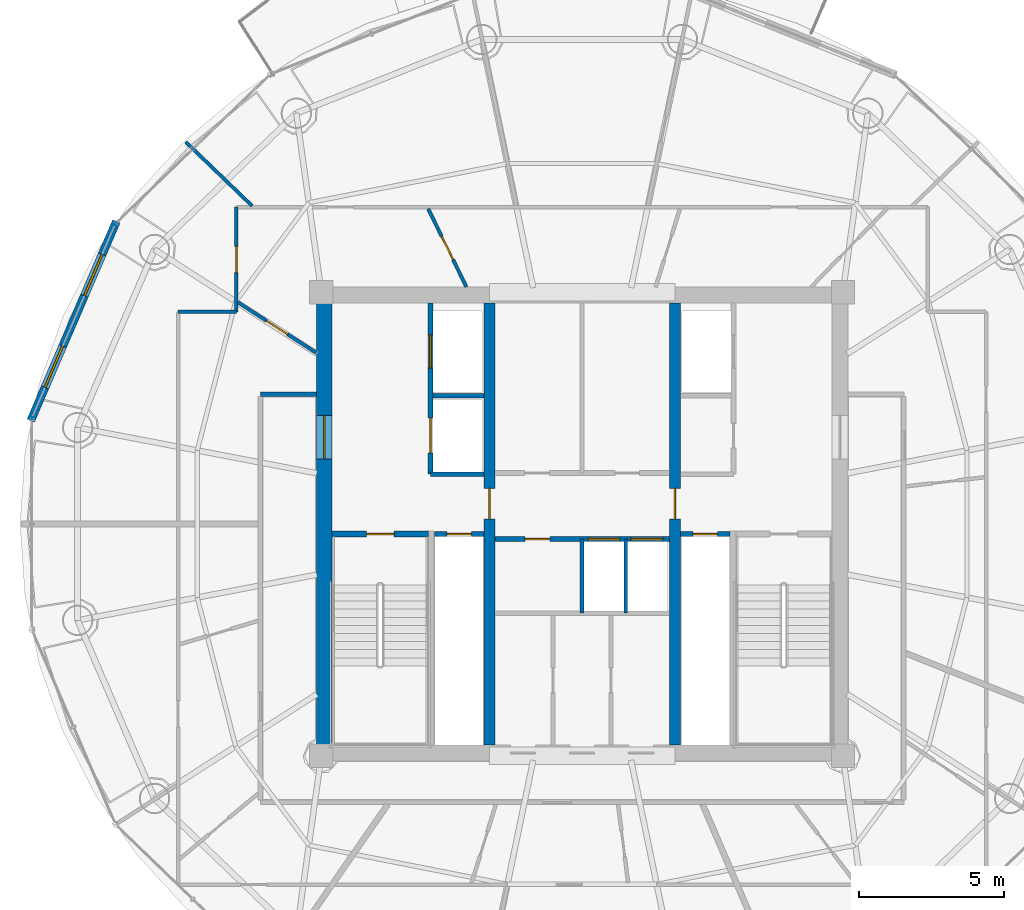
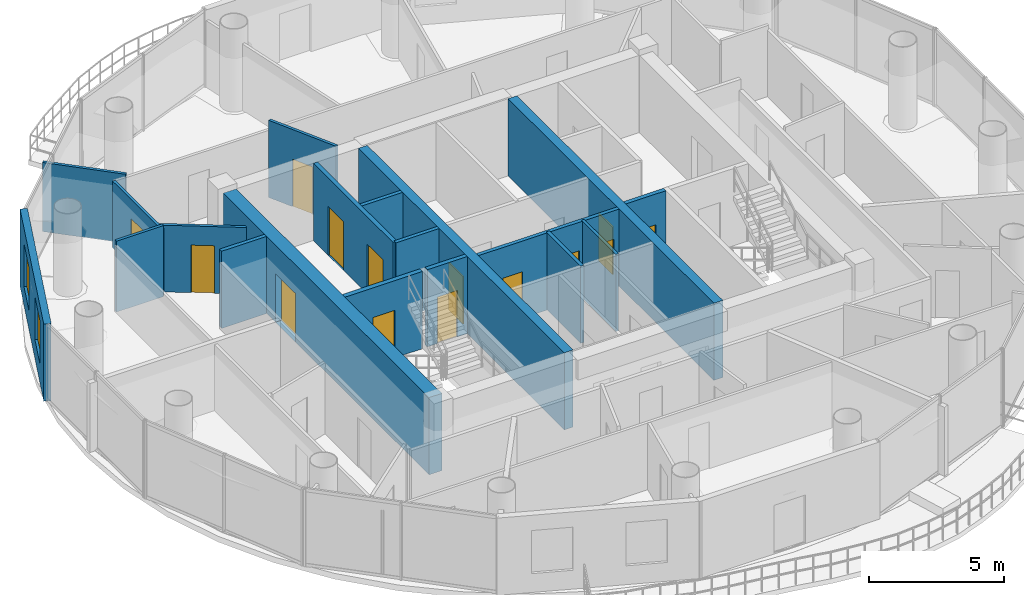
# One storey, part 19 of 24: 19 walls, 14 doors, 2 windows, 16 openings.
"""IFC4 building model written with IfcOpenShell, lengths in metres."""

from ifc_helpers import new_model, si_unit, direction, frame, frame_2d, origin, place, context, subcontext, project, spatial, rectangle, extrude, source, transform, mapped, material, layer, layer_set, type_object, element, fill, save


model = new_model("IFC4")

# Units and contexts
model_context = context("Model", 3, precision=1e-05, world=origin(), true_north=direction((-0.2419218956, 0.970295726276)))
body_context = subcontext(model_context, "Body", "Model", "MODEL_VIEW")
ifc_project = project(units=[si_unit("LENGTHUNIT", "METRE"), si_unit("AREAUNIT", "SQUARE_METRE"), si_unit("VOLUMEUNIT", "CUBIC_METRE"), si_unit("PLANEANGLEUNIT", "RADIAN"), si_unit("MASSUNIT", "GRAM", prefix="KILO")], contexts=[model_context])

# Site, building, storey
site_placement = place(None, origin())
site = spatial("IfcSite", under=ifc_project, at=site_placement, CompositionType="ELEMENT")
building_placement = place(site_placement, origin())
building = spatial("IfcBuilding", under=site, at=building_placement, Name="Cobrevalo Terracotta Tower", CompositionType="ELEMENT")
storey_placement = place(building_placement, frame((0.0, 0.0, 278.199951171875)))
storey = spatial("IfcBuildingStorey", under=building, at=storey_placement, Name="L73", CompositionType="ELEMENT", Elevation=278.199951171875)

# Wall, opening, door
ifc_material_1 = material(Name="Concrete C50", Category="concrete")
ifc_layer_1 = layer(ifc_material_1, 0.550048828125)
ifc_layer_set_1 = layer_set([ifc_layer_1], Name="Concrete C50")
wall_type_1 = type_object("IfcWallType", Name="Core shear wall 550 mm Concrete C50", PredefinedType="SHEAR", material=ifc_layer_set_1)
wall_1_placement = place(storey_placement, frame((29.10009765625, 19.175048828125, 0.0), z_axis=(0.0, 0.0, 1.0), x_axis=(0.0, 1.0, 0.0)))
wall_1 = element("IfcWall", 1, at=wall_1_placement, inside=storey, type_object=wall_type_1, Name="L73 west core shear wall", PredefinedType="SHEAR", context=body_context, shape_type="SweptSolid", body=[
    extrude(rectangle(XDim=15.25, YDim=0.550048828125, at=frame_2d((7.625, 0.0))), origin(), (0.0, 0.0, 1.0), 3.489990234375),
])
opening_1_placement = place(wall_1_placement, frame((9.875, 0.0, 0.0)))
opening_1 = element("IfcOpeningElement", 2, at=opening_1_placement, cuts=wall_1, Name="Opening ID-14", PredefinedType="OPENING", context=body_context, shape_type="SweptSolid", body=[
    extrude(rectangle(XDim=1.5, YDim=2.199951171875, at=frame_2d((0.75, 1.10009765625))), frame((0.0, 0.28515625, 0.0), z_axis=(0.0, -1.0, 0.0), x_axis=(1.0, 0.0, 0.0)), (0.0, 0.0, 1.0), 0.570068359375),
])
ifc_material_2 = material(Name="Galvanized fire-rated steel", Category="steel")
door_type_1 = type_object("IfcDoorType", Name="Core cross-lobby double fire door 1500x2200 EI 90", OperationType="NOTDEFINED", PredefinedType="DOOR", material=ifc_material_2)
shared_shape_1 = source(origin(), body_context, "Body", "SweptSolid", [
    extrude(rectangle(XDim=1.5, YDim=2.199951171875, at=frame_2d((0.75, 1.10009765625))), frame((0.0, 0.02490234375, 0.0), z_axis=(0.0, -1.0, 0.0), x_axis=(1.0, 0.0, 0.0)), (0.0, 0.0, 1.0), 0.050048828125),
])
door_1_placement = place(opening_1_placement, origin())
door_1 = element("IfcDoor", 3, at=door_1_placement, inside=storey, type_object=door_type_1, Name="L73 west firefighting lobby entrance door", OperationType="DOUBLE_DOOR_SINGLE_SWING", OverallHeight=2.199951171875, OverallWidth=1.5, PredefinedType="DOOR", context=body_context, shape_type="MappedRepresentation", body=[
    mapped(shared_shape_1, transform((0.0, 0.0, 0.0), scale=1.0)),
])
fill(opening_1, door_1)

# Walls
ifc_material_3 = material(Name="Gypsum board on steel stud", Category="steel")
ifc_layer_2 = layer(ifc_material_3, 0.159912109375)
ifc_layer_set_2 = layer_set([ifc_layer_2], Name="Gypsum board on steel stud")
wall_type_2 = type_object("IfcWallType", Name="Fire-rated corridor acoustic partition wall 160 mm", PredefinedType="PARTITIONING", material=ifc_layer_set_2)
wall_2_placement = place(storey_placement, frame((32.860107421875, 31.219970703125, 0.0), z_axis=(0.0, 0.0, 1.0), x_axis=(1.0, 0.0, 0.0)))
element("IfcWall", 4, at=wall_2_placement, inside=storey, type_object=wall_type_2, Name="L73 interior partition IW-L73-FF1-M", PredefinedType="PARTITIONING", context=body_context, shape_type="SweptSolid", body=[
    extrude(rectangle(XDim=1.75, YDim=0.159912109375, at=frame_2d((0.875, 0.0))), origin(), (0.0, 0.0, 1.0), 3.489990234375),
])
wall_3_placement = place(storey_placement, frame((32.77001953125, 28.52001953125, 0.0), z_axis=(0.0, 0.0, 1.0), x_axis=(1.0, 0.0, 0.0)))
element("IfcWall", 5, at=wall_3_placement, inside=storey, type_object=wall_type_2, Name="L73 interior partition IW-L73-FF1-S", PredefinedType="PARTITIONING", context=body_context, shape_type="SweptSolid", body=[
    extrude(rectangle(XDim=1.840087890625, YDim=0.159912109375, at=frame_2d((0.919921875, 0.0))), origin(), (0.0, 0.0, 1.0), 3.489990234375),
])

# Wall, openings, doors
wall_4_placement = place(storey_placement, frame((34.989990234375, 26.280029296875, 0.0), z_axis=(0.0, 0.0, 1.0), x_axis=(1.0, 0.0, 0.0)))
wall_4 = element("IfcWall", 6, at=wall_4_placement, inside=storey, type_object=wall_type_2, Name="L73 interior partition IW-L73-MB-N", PredefinedType="PARTITIONING", context=body_context, shape_type="SweptSolid", body=[
    extrude(rectangle(XDim=6.02001953125, YDim=0.159912109375, at=frame_2d((3.010009765625, 0.0))), origin(), (0.0, 0.0, 1.0), 3.489990234375),
])
opening_2_placement = place(wall_4_placement, frame((1.044921875, 0.0, 0.0)))
opening_2 = element("IfcOpeningElement", 7, at=opening_2_placement, cuts=wall_4, Name="Opening ID-22", PredefinedType="OPENING", context=body_context, shape_type="SweptSolid", body=[
    extrude(rectangle(XDim=0.85009765625, YDim=2.10009765625, at=frame_2d((0.425048828125, 1.050048828125))), frame((0.0, 0.08984375, 0.0), z_axis=(0.0, -1.0, 0.0), x_axis=(1.0, 0.0, 0.0)), (0.0, 0.0, 1.0), 0.179931640625),
])
opening_3_placement = place(wall_4_placement, frame((3.215087890625, 0.0, 0.0)))
opening_3 = element("IfcOpeningElement", 8, at=opening_3_placement, cuts=wall_4, Name="Opening LD-01", PredefinedType="OPENING", context=body_context, shape_type="SweptSolid", body=[
    extrude(rectangle(XDim=1.10009765625, YDim=2.199951171875, at=frame_2d((0.550048828125, 1.10009765625))), frame((0.0, 0.08984375, 0.0), z_axis=(0.0, -1.0, 0.0), x_axis=(1.0, 0.0, 0.0)), (0.0, 0.0, 1.0), 0.179931640625),
])
opening_4_placement = place(wall_4_placement, frame((4.695068359375, 0.0, 0.0)))
opening_4 = element("IfcOpeningElement", 9, at=opening_4_placement, cuts=wall_4, Name="Opening LD-01", PredefinedType="OPENING", context=body_context, shape_type="SweptSolid", body=[
    extrude(rectangle(XDim=1.10009765625, YDim=2.199951171875, at=frame_2d((0.550048828125, 1.10009765625))), frame((0.0, 0.08984375, 0.0), z_axis=(0.0, -1.0, 0.0), x_axis=(1.0, 0.0, 0.0)), (0.0, 0.0, 1.0), 0.179931640625),
])
ifc_material_4 = material(Name="Powder-coated steel", Category="steel")
door_type_2 = type_object("IfcDoorType", Name="Riser shaft & meter closet fire access door 850x2100 EI 60", OperationType="NOTDEFINED", PredefinedType="DOOR", material=ifc_material_4)
shared_shape_2 = source(origin(), body_context, "Body", "SweptSolid", [
    extrude(rectangle(XDim=0.85009765625, YDim=2.10009765625, at=frame_2d((0.425048828125, 1.050048828125))), frame((0.0, 0.02490234375, 0.0), z_axis=(0.0, -1.0, 0.0), x_axis=(1.0, 0.0, 0.0)), (0.0, 0.0, 1.0), 0.050048828125),
])
door_2_placement = place(opening_2_placement, frame((0.85009765625, 0.0, 0.0), z_axis=(0.0, 0.0, 1.0), x_axis=(-1.0, 0.0, 0.0)))
door_2 = element("IfcDoor", 10, at=door_2_placement, inside=storey, type_object=door_type_2, Name="L73 core room door High-Rise Core Linen and Equipment Store", OperationType="SINGLE_SWING_RIGHT", OverallHeight=2.10009765625, OverallWidth=0.85009765625, PredefinedType="DOOR", context=body_context, shape_type="MappedRepresentation", body=[
    mapped(shared_shape_2, transform((0.0, 0.0, 0.0), scale=1.0)),
])
fill(opening_2, door_2)
ifc_material_5 = material(Name="Brushed stainless steel", Category="steel")
door_type_3 = type_object("IfcDoorType", Name="Passenger lift landing bi-parting sliding door 1100x2200 EI 90", OperationType="DOUBLE_DOOR_SLIDING", PredefinedType="DOOR", material=ifc_material_5)
shared_shape_3 = source(origin(), body_context, "Body", "SweptSolid", [
    extrude(rectangle(XDim=1.10009765625, YDim=2.199951171875, at=frame_2d((0.550048828125, 1.10009765625))), frame((0.0, 0.02490234375, 0.0), z_axis=(0.0, -1.0, 0.0), x_axis=(1.0, 0.0, 0.0)), (0.0, 0.0, 1.0), 0.050048828125),
])
door_3_placement = place(opening_3_placement, origin())
door_3 = element("IfcDoor", 11, at=door_3_placement, inside=storey, type_object=door_type_3, Name="L73 lift landing door PL-H1", OperationType="DOUBLE_DOOR_SLIDING", OverallHeight=2.199951171875, OverallWidth=1.10009765625, PredefinedType="DOOR", context=body_context, shape_type="MappedRepresentation", body=[
    mapped(shared_shape_3, transform((0.0, 0.0, 0.0), scale=1.0)),
])
fill(opening_3, door_3)
door_4_placement = place(opening_4_placement, origin())
door_4 = element("IfcDoor", 12, at=door_4_placement, inside=storey, type_object=door_type_3, Name="L73 lift landing door PL-H2", OperationType="DOUBLE_DOOR_SLIDING", OverallHeight=2.199951171875, OverallWidth=1.10009765625, PredefinedType="DOOR", context=body_context, shape_type="MappedRepresentation", body=[
    mapped(shared_shape_3, transform((0.0, 0.0, 0.0), scale=1.0)),
])
fill(opening_4, door_4)

# Wall
wall_5_placement = place(storey_placement, frame((26.89501953125, 31.280029296875, 0.0), z_axis=(0.0, 0.0, 1.0), x_axis=(1.0, 0.0, 0.0)))
element("IfcWall", 13, at=wall_5_placement, inside=storey, type_object=wall_type_2, Name="L73 interior partition IW-L73-COR-WN-CAP", PredefinedType="PARTITIONING", context=body_context, shape_type="SweptSolid", body=[
    extrude(rectangle(XDim=1.929931640625, YDim=0.159912109375, at=frame_2d((0.96484375, 0.0))), origin(), (0.0, 0.0, 1.0), 3.489990234375),
])

# Wall, opening, door
ifc_layer_3 = layer(ifc_material_3, 0.179931640625)
ifc_layer_set_3 = layer_set([ifc_layer_3], Name="Gypsum board on steel stud")
wall_type_3 = type_object("IfcWallType", Name="Fire-rated shaft & lobby acoustic partition wall 180 mm", PredefinedType="PARTITIONING", material=ifc_layer_set_3)
wall_6_placement = place(storey_placement, frame((32.89990234375, 26.449951171875, 0.0), z_axis=(0.0, 0.0, 1.0), x_axis=(1.0, 0.0, 0.0)))
wall_6 = element("IfcWall", 14, at=wall_6_placement, inside=storey, type_object=wall_type_3, Name="L73 interior partition IW-L73-RSW-N", PredefinedType="PARTITIONING", context=body_context, shape_type="SweptSolid", body=[
    extrude(rectangle(XDim=1.710205078125, YDim=0.179931640625, at=frame_2d((0.85498046875, 0.0))), origin(), (0.0, 0.0, 1.0), 3.489990234375),
])
opening_5_placement = place(wall_6_placement, frame((0.429931640625, 0.0, 0.0)))
opening_5 = element("IfcOpeningElement", 15, at=opening_5_placement, cuts=wall_6, Name="Opening ID-22", PredefinedType="OPENING", context=body_context, shape_type="SweptSolid", body=[
    extrude(rectangle(XDim=0.85009765625, YDim=2.10009765625, at=frame_2d((0.425048828125, 1.050048828125))), frame((0.0, 0.10009765625, 0.0), z_axis=(0.0, -1.0, 0.0), x_axis=(1.0, 0.0, 0.0)), (0.0, 0.0, 1.0), 0.199951171875),
])
door_5_placement = place(opening_5_placement, origin())
door_5 = element("IfcDoor", 16, at=door_5_placement, inside=storey, type_object=door_type_2, Name="L73 riser access door RSW", OperationType="SINGLE_SWING_LEFT", OverallHeight=2.10009765625, OverallWidth=0.85009765625, PredefinedType="DOOR", context=body_context, shape_type="MappedRepresentation", body=[
    mapped(shared_shape_2, transform((0.0, 0.0, 0.0), scale=1.0)),
])
fill(opening_5, door_5)

wall_7_placement = place(storey_placement, frame((41.389892578125, 26.449951171875, 0.0), z_axis=(0.0, 0.0, 1.0), x_axis=(1.0, 0.0, 0.0)))
wall_7 = element("IfcWall", 17, at=wall_7_placement, inside=storey, type_object=wall_type_3, Name="L73 interior partition IW-L73-RSE-N", PredefinedType="PARTITIONING", context=body_context, shape_type="SweptSolid", body=[
    extrude(rectangle(XDim=1.710205078125, YDim=0.179931640625, at=frame_2d((0.85498046875, 0.0))), origin(), (0.0, 0.0, 1.0), 3.489990234375),
])
opening_6_placement = place(wall_7_placement, frame((0.429931640625, 0.0, 0.0)))
opening_6 = element("IfcOpeningElement", 18, at=opening_6_placement, cuts=wall_7, Name="Opening ID-22", PredefinedType="OPENING", context=body_context, shape_type="SweptSolid", body=[
    extrude(rectangle(XDim=0.85009765625, YDim=2.10009765625, at=frame_2d((0.425048828125, 1.050048828125))), frame((0.0, 0.10009765625, 0.0), z_axis=(0.0, -1.0, 0.0), x_axis=(1.0, 0.0, 0.0)), (0.0, 0.0, 1.0), 0.199951171875),
])
door_6_placement = place(opening_6_placement, origin())
door_6 = element("IfcDoor", 19, at=door_6_placement, inside=storey, type_object=door_type_2, Name="L73 riser access door RSE", OperationType="SINGLE_SWING_RIGHT", OverallHeight=2.10009765625, OverallWidth=0.85009765625, PredefinedType="DOOR", context=body_context, shape_type="MappedRepresentation", body=[
    mapped(shared_shape_2, transform((0.0, 0.0, 0.0), scale=1.0)),
])
fill(opening_6, door_6)

# Wall, openings, doors
wall_8_placement = place(storey_placement, frame((32.77001953125, 28.52001953125, 0.0), z_axis=(0.0, 0.0, 1.0), x_axis=(0.0, 1.0, 0.0)))
wall_8 = element("IfcWall", 20, at=wall_8_placement, inside=storey, type_object=wall_type_3, Name="L73 interior partition IW-L73-FF1-W", PredefinedType="PARTITIONING", context=body_context, shape_type="SweptSolid", body=[
    extrude(rectangle(XDim=5.905029296875, YDim=0.179931640625, at=frame_2d((2.95263671875, 0.0))), origin(), (0.0, 0.0, 1.0), 3.489990234375),
])
opening_7_placement = place(wall_8_placement, frame((3.655029296875, 0.0, 0.0)))
opening_7 = element("IfcOpeningElement", 21, at=opening_7_placement, cuts=wall_8, Name="Opening LD-02", PredefinedType="OPENING", context=body_context, shape_type="SweptSolid", body=[
    extrude(rectangle(XDim=1.14990234375, YDim=2.199951171875, at=frame_2d((0.574951171875, 1.10009765625))), frame((0.0, 0.10009765625, 0.0), z_axis=(0.0, -1.0, 0.0), x_axis=(1.0, 0.0, 0.0)), (0.0, 0.0, 1.0), 0.199951171875),
])
opening_8_placement = place(wall_8_placement, frame((0.72998046875, 0.0, 0.0)))
opening_8 = element("IfcOpeningElement", 22, at=opening_8_placement, cuts=wall_8, Name="Opening LD-03", PredefinedType="OPENING", context=body_context, shape_type="SweptSolid", body=[
    extrude(rectangle(XDim=1.199951171875, YDim=2.25, at=frame_2d((0.60009765625, 1.125))), frame((0.0, 0.10009765625, 0.0), z_axis=(0.0, -1.0, 0.0), x_axis=(1.0, 0.0, 0.0)), (0.0, 0.0, 1.0), 0.199951171875),
])
door_type_4 = type_object("IfcDoorType", Name="Firefighting lift landing bi-parting sliding door 1150x2200 EI 120", OperationType="DOUBLE_DOOR_SLIDING", PredefinedType="DOOR", material=ifc_material_5)
shared_shape_4 = source(origin(), body_context, "Body", "SweptSolid", [
    extrude(rectangle(XDim=1.14990234375, YDim=2.199951171875, at=frame_2d((0.574951171875, 1.10009765625))), frame((0.0, 0.02490234375, 0.0), z_axis=(0.0, -1.0, 0.0), x_axis=(1.0, 0.0, 0.0)), (0.0, 0.0, 1.0), 0.050048828125),
])
door_7_placement = place(opening_7_placement, origin())
door_7 = element("IfcDoor", 23, at=door_7_placement, inside=storey, type_object=door_type_4, Name="L73 lift landing door FF-1", OperationType="DOUBLE_DOOR_SLIDING", OverallHeight=2.199951171875, OverallWidth=1.14990234375, PredefinedType="DOOR", context=body_context, shape_type="MappedRepresentation", body=[
    mapped(shared_shape_4, transform((0.0, 0.0, 0.0), scale=1.0)),
])
fill(opening_7, door_7)
door_type_5 = type_object("IfcDoorType", Name="Service lift landing bi-parting sliding door 1200x2250 EI 120", OperationType="DOUBLE_DOOR_SLIDING", PredefinedType="DOOR", material=ifc_material_5)
shared_shape_5 = source(origin(), body_context, "Body", "SweptSolid", [
    extrude(rectangle(XDim=1.199951171875, YDim=2.25, at=frame_2d((0.60009765625, 1.125))), frame((0.0, 0.02490234375, 0.0), z_axis=(0.0, -1.0, 0.0), x_axis=(1.0, 0.0, 0.0)), (0.0, 0.0, 1.0), 0.050048828125),
])
door_8_placement = place(opening_8_placement, origin())
door_8 = element("IfcDoor", 24, at=door_8_placement, inside=storey, type_object=door_type_5, Name="L73 lift landing door SV-1", OperationType="DOUBLE_DOOR_SLIDING", OverallHeight=2.25, OverallWidth=1.199951171875, PredefinedType="DOOR", context=body_context, shape_type="MappedRepresentation", body=[
    mapped(shared_shape_5, transform((0.0, 0.0, 0.0), scale=1.0)),
])
fill(opening_8, door_8)

# Wall
ifc_material_6 = material(Name="Autoclaved aerated concrete block", Category="concrete")
ifc_layer_4 = layer(ifc_material_6, 0.1201171875)
ifc_layer_set_4 = layer_set([ifc_layer_4], Name="Autoclaved aerated concrete block")
wall_type_4 = type_object("IfcWallType", Name="Fire-rated wet-room & core service partition 120 mm", PredefinedType="PARTITIONING", material=ifc_layer_set_4)
wall_9_placement = place(storey_placement, frame((39.5, 23.719970703125, 0.0), z_axis=(0.0, 0.0, 1.0), x_axis=(0.0, 1.0, 0.0)))
element("IfcWall", 25, at=wall_9_placement, inside=storey, type_object=wall_type_4, Name="L73 interior partition IW-L73-MB-D3", PredefinedType="PARTITIONING", context=body_context, shape_type="SweptSolid", body=[
    extrude(rectangle(XDim=2.56005859375, YDim=0.1201171875, at=frame_2d((1.280029296875, 0.0))), origin(), (0.0, 0.0, 1.0), 3.489990234375),
])

# Wall, openings, windows
ifc_layer_5 = layer(ifc_material_6, 0.280029296875)
ifc_layer_set_5 = layer_set([ifc_layer_5], Name="Autoclaved aerated concrete block")
wall_type_5 = type_object("IfcWallType", Name="Insulated tower spandrel & pier wall 280 mm with terracotta rainscreen", PredefinedType="SOLIDWALL", material=ifc_layer_set_5)
wall_10_placement = place(storey_placement, frame((21.926025390625, 37.24609375, 0.0), z_axis=(0.0, 0.0, 1.0), x_axis=(-0.394816612978, -0.918759948037, 0.0)))
wall_10 = element("IfcWall", 26, at=wall_10_placement, inside=storey, type_object=wall_type_5, Name="L73 terracotta rainscreen pier wall S07", PredefinedType="SOLIDWALL", context=body_context, shape_type="SweptSolid", body=[
    extrude(rectangle(XDim=7.4853515625, YDim=0.280029296875, at=frame_2d((3.74267578125, 0.0))), origin(), (0.0, 0.0, 1.0), 3.489990234375),
])
opening_9_placement = place(wall_10_placement, frame((1.24609375, 0.0, 0.85009765625)))
opening_9 = element("IfcOpeningElement", 27, at=opening_9_placement, cuts=wall_10, Name="Opening WN-12", PredefinedType="OPENING", context=body_context, shape_type="SweptSolid", body=[
    extrude(rectangle(XDim=1.550048828125, YDim=1.949951171875, at=frame_2d((0.77490234375, 0.97509765625))), frame((0.0, 0.14990234375, 0.0), z_axis=(0.0, -1.0, 0.0), x_axis=(1.0, 0.0, 0.0)), (0.0, 0.0, 1.0), 0.300048828125),
])
opening_10_placement = place(wall_10_placement, frame((4.689208984375, 0.0, 0.85009765625)))
opening_10 = element("IfcOpeningElement", 28, at=opening_10_placement, cuts=wall_10, Name="Opening WN-12", PredefinedType="OPENING", context=body_context, shape_type="SweptSolid", body=[
    extrude(rectangle(XDim=1.550048828125, YDim=1.949951171875, at=frame_2d((0.77490234375, 0.97509765625))), frame((0.0, 0.14990234375, 0.0), z_axis=(0.0, -1.0, 0.0), x_axis=(1.0, 0.0, 0.0)), (0.0, 0.0, 1.0), 0.300048828125),
])
ifc_material_7 = material(Name="Solar-control low-E double glazing", Category="glass")
window_type = type_object("IfcWindowType", Name="Solar-control low-E aluminium window 1550x1950", PartitioningType="SINGLE_PANEL", PredefinedType="WINDOW", material=ifc_material_7)
shared_shape_6 = source(origin(), body_context, "Body", "SweptSolid", [
    extrude(rectangle(XDim=1.550048828125, YDim=1.949951171875, at=frame_2d((0.77490234375, 0.97509765625))), frame((0.0, 0.030029296875, 0.0), z_axis=(0.0, -1.0, 0.0), x_axis=(1.0, 0.0, 0.0)), (0.0, 0.0, 1.0), 0.06005859375),
])
window_1_placement = place(opening_9_placement, origin())
window_1 = element("IfcWindow", 29, at=window_1_placement, inside=storey, type_object=window_type, Name="L73 suite window S07A", OverallHeight=1.949951171875, OverallWidth=1.550048828125, PartitioningType="SINGLE_PANEL", PredefinedType="WINDOW", context=body_context, shape_type="MappedRepresentation", body=[
    mapped(shared_shape_6, transform((0.0, 0.0, 0.0), scale=1.0)),
])
fill(opening_9, window_1)
window_2_placement = place(opening_10_placement, origin())
window_2 = element("IfcWindow", 30, at=window_2_placement, inside=storey, type_object=window_type, Name="L73 suite window S07B", OverallHeight=1.949951171875, OverallWidth=1.550048828125, PartitioningType="SINGLE_PANEL", PredefinedType="WINDOW", context=body_context, shape_type="MappedRepresentation", body=[
    mapped(shared_shape_6, transform((0.0, 0.0, 0.0), scale=1.0)),
])
fill(opening_10, window_2)

# Wall, opening, door
ifc_layer_6 = layer(ifc_material_1, 0.3798828125)
ifc_layer_set_6 = layer_set([ifc_layer_6], Name="Concrete C50")
wall_type_6 = type_object("IfcWallType", Name="Internal core shear web wall 380 mm Concrete C50", PredefinedType="SHEAR", material=ifc_layer_set_6)
wall_11_placement = place(storey_placement, frame((34.800048828125, 19.175048828125, 0.0), z_axis=(0.0, 0.0, 1.0), x_axis=(0.0, 1.0, 0.0)))
wall_11 = element("IfcWall", 31, at=wall_11_placement, inside=storey, type_object=wall_type_6, Name="L73 internal core shear wall WEB-W", PredefinedType="SHEAR", context=body_context, shape_type="SweptSolid", body=[
    extrude(rectangle(XDim=15.25, YDim=0.3798828125, at=frame_2d((7.625, 0.0))), origin(), (0.0, 0.0, 1.0), 3.489990234375),
])
opening_11_placement = place(wall_11_placement, frame((7.800048828125, 0.0, 0.0)))
opening_11 = element("IfcOpeningElement", 32, at=opening_11_placement, cuts=wall_11, Name="Opening ID-11", PredefinedType="OPENING", context=body_context, shape_type="SweptSolid", body=[
    extrude(rectangle(XDim=1.050048828125, YDim=2.14990234375, at=frame_2d((0.52490234375, 1.074951171875))), frame((0.0, 0.199951171875, 0.0), z_axis=(0.0, -1.0, 0.0), x_axis=(1.0, 0.0, 0.0)), (0.0, 0.0, 1.0), 0.39990234375),
])
door_type_6 = type_object("IfcDoorType", Name="Core concourse cross fire door 1050x2150 EI 90", OperationType="NOTDEFINED", PredefinedType="DOOR", material=ifc_material_2)
shared_shape_7 = source(origin(), body_context, "Body", "SweptSolid", [
    extrude(rectangle(XDim=1.050048828125, YDim=2.14990234375, at=frame_2d((0.52490234375, 1.074951171875))), frame((0.0, 0.02490234375, 0.0), z_axis=(0.0, -1.0, 0.0), x_axis=(1.0, 0.0, 0.0)), (0.0, 0.0, 1.0), 0.050048828125),
])
door_9_placement = place(opening_11_placement, origin())
door_9 = element("IfcDoor", 33, at=door_9_placement, inside=storey, type_object=door_type_6, Name="L73 west core concourse cross door", OperationType="SINGLE_SWING_LEFT", OverallHeight=2.14990234375, OverallWidth=1.050048828125, PredefinedType="DOOR", context=body_context, shape_type="MappedRepresentation", body=[
    mapped(shared_shape_7, transform((0.0, 0.0, 0.0), scale=1.0)),
])
fill(opening_11, door_9)

wall_12_placement = place(storey_placement, frame((41.199951171875, 19.175048828125, 0.0), z_axis=(0.0, 0.0, 1.0), x_axis=(0.0, 1.0, 0.0)))
wall_12 = element("IfcWall", 34, at=wall_12_placement, inside=storey, type_object=wall_type_6, Name="L73 internal core shear wall WEB-E", PredefinedType="SHEAR", context=body_context, shape_type="SweptSolid", body=[
    extrude(rectangle(XDim=15.25, YDim=0.3798828125, at=frame_2d((7.625, 0.0))), origin(), (0.0, 0.0, 1.0), 3.489990234375),
])
opening_12_placement = place(wall_12_placement, frame((7.800048828125, 0.0, 0.0)))
opening_12 = element("IfcOpeningElement", 35, at=opening_12_placement, cuts=wall_12, Name="Opening ID-11", PredefinedType="OPENING", context=body_context, shape_type="SweptSolid", body=[
    extrude(rectangle(XDim=1.050048828125, YDim=2.14990234375, at=frame_2d((0.52490234375, 1.074951171875))), frame((0.0, 0.199951171875, 0.0), z_axis=(0.0, -1.0, 0.0), x_axis=(1.0, 0.0, 0.0)), (0.0, 0.0, 1.0), 0.39990234375),
])
door_10_placement = place(opening_12_placement, frame((1.050048828125, 0.0, 0.0), z_axis=(0.0, 0.0, 1.0), x_axis=(-1.0, 0.0, 0.0)))
door_10 = element("IfcDoor", 36, at=door_10_placement, inside=storey, type_object=door_type_6, Name="L73 east core concourse cross door", OperationType="SINGLE_SWING_RIGHT", OverallHeight=2.14990234375, OverallWidth=1.050048828125, PredefinedType="DOOR", context=body_context, shape_type="MappedRepresentation", body=[
    mapped(shared_shape_7, transform((0.0, 0.0, 0.0), scale=1.0)),
])
fill(opening_12, door_10)

# Walls
ifc_layer_7 = layer(ifc_material_6, 0.139892578125)
ifc_layer_set_7 = layer_set([ifc_layer_7], Name="Autoclaved aerated concrete block")
wall_type_7 = type_object("IfcWallType", Name="Moisture-resistant wet-room & core service partition 140 mm", PredefinedType="PARTITIONING", material=ifc_layer_set_7)
wall_13_placement = place(storey_placement, frame((38.0, 23.719970703125, 0.0), z_axis=(0.0, 0.0, 1.0), x_axis=(0.0, 1.0, 0.0)))
element("IfcWall", 37, at=wall_13_placement, inside=storey, type_object=wall_type_7, Name="L73 interior partition IW-L73-MB-D2", PredefinedType="PARTITIONING", context=body_context, shape_type="SweptSolid", body=[
    extrude(rectangle(XDim=2.56005859375, YDim=0.139892578125, at=frame_2d((1.280029296875, 0.0))), origin(), (0.0, 0.0, 1.0), 3.489990234375),
])
ifc_layer_8 = layer(ifc_material_3, 0.1201171875)
ifc_layer_set_8 = layer_set([ifc_layer_8], Name="Gypsum board on steel stud")
wall_type_8 = type_object("IfcWallType", Name="Residential internal acoustic stud partition 120 mm", PredefinedType="PARTITIONING", material=ifc_layer_set_8)
wall_14_placement = place(storey_placement, frame((24.054931640625, 34.1201171875, 0.0), z_axis=(0.0, 0.0, 1.0), x_axis=(1.0, 0.0, 0.0)))
element("IfcWall", 38, at=wall_14_placement, inside=storey, type_object=wall_type_8, Name="L73 interior partition IW-L73-U1-RING1_0", PredefinedType="PARTITIONING", context=body_context, shape_type="SweptSolid", body=[
    extrude(rectangle(XDim=2.010009765625, YDim=0.1201171875, at=frame_2d((1.0048828125, 0.0))), origin(), (0.0, 0.0, 1.0), 3.208984375),
])

# Wall, opening, door
wall_15_placement = place(storey_placement, frame((26.06494140625, 34.1201171875, 0.0), z_axis=(0.0, 0.0, 1.0), x_axis=(0.0, 1.0, 0.0)))
wall_15 = element("IfcWall", 39, at=wall_15_placement, inside=storey, type_object=wall_type_8, Name="L73 interior partition IW-L73-U1-RING2_0", PredefinedType="PARTITIONING", context=body_context, shape_type="SweptSolid", body=[
    extrude(rectangle(XDim=3.614990234375, YDim=0.1201171875, at=frame_2d((1.8076171875, 0.0))), origin(), (0.0, 0.0, 1.0), 3.01513671875),
])
opening_13_placement = place(wall_15_placement, frame((1.358154296875, 0.0, 0.0)))
opening_13 = element("IfcOpeningElement", 40, at=opening_13_placement, cuts=wall_15, Name="Opening ID-12", PredefinedType="OPENING", context=body_context, shape_type="SweptSolid", body=[
    extrude(rectangle(XDim=0.89990234375, YDim=2.14990234375, at=frame_2d((0.449951171875, 1.074951171875))), frame((0.0, 0.070068359375, 0.0), z_axis=(0.0, -1.0, 0.0), x_axis=(1.0, 0.0, 0.0)), (0.0, 0.0, 1.0), 0.14013671875),
])
ifc_material_8 = material(Name="Engineered timber", Category="wood")
door_type_7 = type_object("IfcDoorType", Name="Internal residence & suite timber door 900x2150", OperationType="NOTDEFINED", PredefinedType="DOOR", material=ifc_material_8)
shared_shape_8 = source(origin(), body_context, "Body", "SweptSolid", [
    extrude(rectangle(XDim=0.89990234375, YDim=2.14990234375, at=frame_2d((0.449951171875, 1.074951171875))), frame((0.0, 0.02490234375, 0.0), z_axis=(0.0, -1.0, 0.0), x_axis=(1.0, 0.0, 0.0)), (0.0, 0.0, 1.0), 0.050048828125),
])
door_11_placement = place(opening_13_placement, origin())
door_11 = element("IfcDoor", 41, at=door_11_placement, inside=storey, type_object=door_type_7, Name="Flat L73A Private Cinema Room internal door", OperationType="SINGLE_SWING_RIGHT", OverallHeight=2.14990234375, OverallWidth=0.89990234375, PredefinedType="DOOR", context=body_context, shape_type="MappedRepresentation", body=[
    mapped(shared_shape_8, transform((0.0, 0.0, 0.0), scale=1.0)),
])
fill(opening_13, door_11)

# Wall
wall_16_placement = place(storey_placement, frame((26.611083984375, 37.778076171875, 0.0), z_axis=(0.0, 0.0, 1.0), x_axis=(-0.719985652574, 0.693988948102, 0.0)))
element("IfcWall", 42, at=wall_16_placement, inside=storey, type_object=wall_type_8, Name="L73 interior partition IW-L73-U1-ORAD3", PredefinedType="PARTITIONING", context=body_context, shape_type="SweptSolid", body=[
    extrude(rectangle(XDim=3.17431640625, YDim=0.1201171875, at=frame_2d((1.587158203125, 0.0))), origin(), (0.0, 0.0, 1.0), 3.12109375),
])

# Wall, opening, door
wall_17_placement = place(storey_placement, frame((34.00830078125, 34.976806640625, 0.0), z_axis=(0.0, 0.0, 1.0), x_axis=(-0.438717914863, 0.898624833386, 0.0)))
wall_17 = element("IfcWall", 43, at=wall_17_placement, inside=storey, type_object=wall_type_8, Name="L73 interior partition IW-L73-U1-IRAD4", PredefinedType="PARTITIONING", context=body_context, shape_type="SweptSolid", body=[
    extrude(rectangle(XDim=3.00732421875, YDim=0.1201171875, at=frame_2d((1.503662109375, 0.0))), origin(), (0.0, 0.0, 1.0), 3.489990234375),
])
opening_14_placement = place(wall_17_placement, frame((1.0537109375, 0.0, 0.0)))
opening_14 = element("IfcOpeningElement", 44, at=opening_14_placement, cuts=wall_17, Name="Opening ID-12", PredefinedType="OPENING", context=body_context, shape_type="SweptSolid", body=[
    extrude(rectangle(XDim=0.89990234375, YDim=2.14990234375, at=frame_2d((0.449951171875, 1.074951171875))), frame((0.0, 0.070068359375, 0.0), z_axis=(0.0, -1.0, 0.0), x_axis=(1.0, 0.0, 0.0)), (0.0, 0.0, 1.0), 0.14013671875),
])
door_12_placement = place(opening_14_placement, origin())
door_12 = element("IfcDoor", 45, at=door_12_placement, inside=storey, type_object=door_type_7, Name="Flat L73A Utility Closet internal door", OperationType="SINGLE_SWING_LEFT", OverallHeight=2.14990234375, OverallWidth=0.89990234375, PredefinedType="DOOR", context=body_context, shape_type="MappedRepresentation", body=[
    mapped(shared_shape_8, transform((0.0, 0.0, 0.0), scale=1.0)),
])
fill(opening_14, door_12)

wall_18_placement = place(storey_placement, frame((28.824951171875, 32.709228515625, 0.0), z_axis=(0.0, 0.0, 1.0), x_axis=(-0.840692964871, 0.541512085568, 0.0)))
wall_18 = element("IfcWall", 46, at=wall_18_placement, inside=storey, type_object=wall_type_8, Name="L73 interior partition IW-L73-U1-IRAD5", PredefinedType="PARTITIONING", context=body_context, shape_type="SweptSolid", body=[
    extrude(rectangle(XDim=3.220947265625, YDim=0.1201171875, at=frame_2d((1.6103515625, 0.0))), origin(), (0.0, 0.0, 1.0), 3.01513671875),
])
opening_15_placement = place(wall_18_placement, frame((1.180419921875, 0.0, 0.0)))
opening_15 = element("IfcOpeningElement", 47, at=opening_15_placement, cuts=wall_18, Name="Opening ID-19", PredefinedType="OPENING", context=body_context, shape_type="SweptSolid", body=[
    extrude(rectangle(XDim=0.860107421875, YDim=2.14990234375, at=frame_2d((0.43017578125, 1.074951171875))), frame((0.0, 0.070068359375, 0.0), z_axis=(0.0, -1.0, 0.0), x_axis=(1.0, 0.0, 0.0)), (0.0, 0.0, 1.0), 0.14013671875),
])
ifc_material_9 = material(Name="Moisture-sealed timber", Category="wood")
door_type_8 = type_object("IfcDoorType", Name="Suite bathroom internal timber door 860x2150", OperationType="NOTDEFINED", PredefinedType="DOOR", material=ifc_material_9)
shared_shape_9 = source(origin(), body_context, "Body", "SweptSolid", [
    extrude(rectangle(XDim=0.860107421875, YDim=2.14990234375, at=frame_2d((0.43017578125, 1.074951171875))), frame((0.0, 0.02490234375, 0.0), z_axis=(0.0, -1.0, 0.0), x_axis=(1.0, 0.0, 0.0)), (0.0, 0.0, 1.0), 0.050048828125),
])
door_13_placement = place(opening_15_placement, origin())
door_13 = element("IfcDoor", 48, at=door_13_placement, inside=storey, type_object=door_type_8, Name="Flat L73A Guest Bathroom internal door", OperationType="SINGLE_SWING_RIGHT", OverallHeight=2.14990234375, OverallWidth=0.860107421875, PredefinedType="DOOR", context=body_context, shape_type="MappedRepresentation", body=[
    mapped(shared_shape_9, transform((0.0, 0.0, 0.0), scale=1.0)),
])
fill(opening_15, door_13)

ifc_layer_9 = layer(ifc_material_1, 0.199951171875)
ifc_layer_set_9 = layer_set([ifc_layer_9], Name="Concrete C50")
wall_type_9 = type_object("IfcWallType", Name="Structural core & podium stair-shaft RC wall 200 mm Concrete C50", PredefinedType="SOLIDWALL", material=ifc_layer_set_9)
wall_19_placement = place(storey_placement, frame((29.375, 26.449951171875, 0.0), z_axis=(0.0, 0.0, 1.0), x_axis=(1.0, 0.0, 0.0)))
wall_19 = element("IfcWall", 49, at=wall_19_placement, inside=storey, type_object=wall_type_9, Name="L73 ST-1 north structural shaft wall", PredefinedType="SOLIDWALL", context=body_context, shape_type="SweptSolid", body=[
    extrude(rectangle(XDim=3.320068359375, YDim=0.199951171875, at=frame_2d((1.66015625, 0.0))), origin(), (0.0, 0.0, 1.0), 3.489990234375),
])
opening_16_placement = place(wall_19_placement, frame((1.18505859375, 0.0, 0.0)))
opening_16 = element("IfcOpeningElement", 50, at=opening_16_placement, cuts=wall_19, Name="Opening ID-04", PredefinedType="OPENING", context=body_context, shape_type="SweptSolid", body=[
    extrude(rectangle(XDim=0.949951171875, YDim=2.14990234375, at=frame_2d((0.47509765625, 1.074951171875))), frame((0.0, 0.10986328125, 0.0), z_axis=(0.0, -1.0, 0.0), x_axis=(1.0, 0.0, 0.0)), (0.0, 0.0, 1.0), 0.219970703125),
])
door_type_9 = type_object("IfcDoorType", Name="Stair & firefighting lobby fire door 950x2150 EI 90", OperationType="NOTDEFINED", PredefinedType="DOOR", material=ifc_material_2)
shared_shape_10 = source(origin(), body_context, "Body", "SweptSolid", [
    extrude(rectangle(XDim=0.949951171875, YDim=2.14990234375, at=frame_2d((0.47509765625, 1.074951171875))), frame((0.0, 0.02490234375, 0.0), z_axis=(0.0, -1.0, 0.0), x_axis=(1.0, 0.0, 0.0)), (0.0, 0.0, 1.0), 0.050048828125),
])
door_14_placement = place(opening_16_placement, origin())
door_14 = element("IfcDoor", 51, at=door_14_placement, inside=storey, type_object=door_type_9, Name="L73 protected stair ST1 fire door", OperationType="SINGLE_SWING_LEFT", OverallHeight=2.14990234375, OverallWidth=0.949951171875, PredefinedType="DOOR", context=body_context, shape_type="MappedRepresentation", body=[
    mapped(shared_shape_10, transform((0.0, 0.0, 0.0), scale=1.0)),
])
fill(opening_16, door_14)

save(model, "model.ifc")
